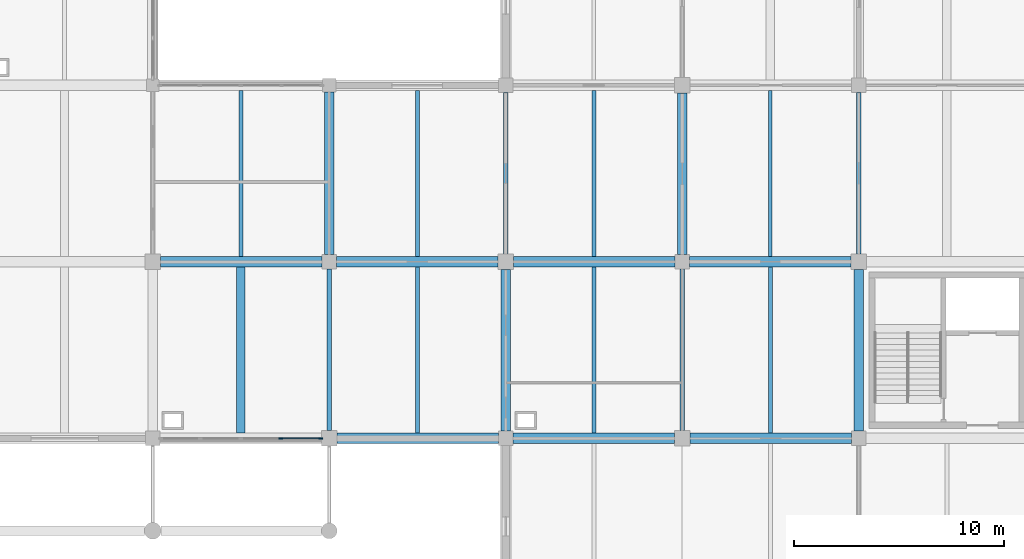
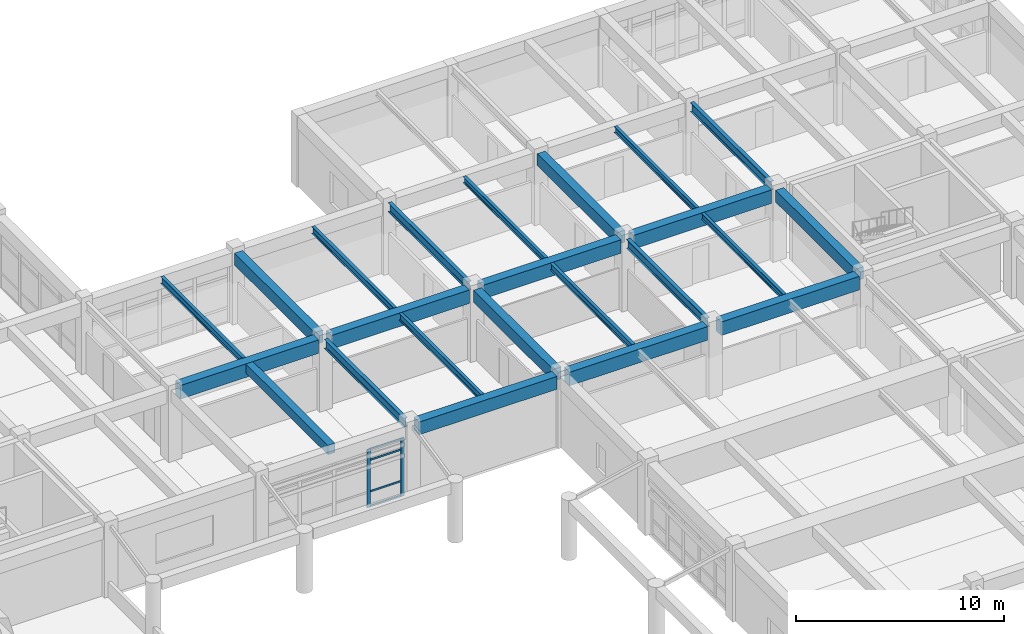
# One storey, part 48 of 99: 23 beams, 6 members, 1 element without a shape of its own.
"""IFC4 building model written with IfcOpenShell, lengths in metres."""

import ifcopenshell
import ifcopenshell.guid

model = None  # the IFC model being written
_history = None  # IfcOwnerHistory: only IFC2X3 demands one
_inside = {}  # id of a spatial element -> (the spatial element, [elements in it])
_under = {}  # id of a project, library or spatial element -> (it, [spatial elements below it])
_declared = {}  # id of a project -> (the project, [libraries it declares])
_typed = {}  # id of a type object -> (the type object, [elements of that type])
_made_of = {}  # id of a material, layer set ... -> (it, [elements and type objects made of it])


def new_model(schema):
    """Start an empty IFC model of exactly this schema.

    Asked for "IFC4X3", IfcOpenShell would pick the latest addendum, in which some entities
    have other attributes; the version numbers below select the first issue.
    IFC2X3 requires an IfcOwnerHistory on every rooted entity: one is made here for all.
    """
    global model, _history
    if schema == "IFC4X3":
        model = ifcopenshell.file(schema_version=(4, 3, 0, 0))
    else:
        model = ifcopenshell.file(schema=schema)
    _inside.clear()
    _under.clear()
    _declared.clear()
    _typed.clear()
    _made_of.clear()
    _history = None
    if model.schema == "IFC2X3":
        org = make("IfcOrganization", Name="unknown")
        user = make(
            "IfcPersonAndOrganization",
            ThePerson=make("IfcPerson", FamilyName="unknown"),
            TheOrganization=org,
        )
        app = make(
            "IfcApplication",
            ApplicationDeveloper=org,
            Version="unknown",
            ApplicationFullName="unknown",
            ApplicationIdentifier="unknown",
        )
        _history = make(
            "IfcOwnerHistory",
            OwningUser=user,
            OwningApplication=app,
            ChangeAction="ADDED",
            CreationDate=0,
        )
    return model


def make(cls, **values):
    """One entity of the class cls with the attributes given. An attribute that is None is left unset."""
    return model.create_entity(
        cls, **{name: value for name, value in values.items() if value is not None}
    )


def rooted(cls, **values):
    """An entity with a GlobalId (a new one), such as an element, a storey or a relation."""
    return make(cls, GlobalId=ifcopenshell.guid.new(), OwnerHistory=_history, **values)


def si_unit(unit_type, name, prefix=None):
    """IfcSIUnit, for example si_unit("LENGTHUNIT", "METRE", prefix="MILLI")."""
    return make("IfcSIUnit", UnitType=unit_type, Prefix=prefix, Name=name)


def assignment(units):
    """IfcUnitAssignment: the units of a project."""
    return None if units is None else make("IfcUnitAssignment", Units=units)


def point(xyz):
    """IfcCartesianPoint."""
    return None if xyz is None else make("IfcCartesianPoint", Coordinates=xyz)


def direction(xyz):
    """IfcDirection."""
    return None if xyz is None else make("IfcDirection", DirectionRatios=xyz)


def frame(location, z_axis=None, x_axis=None):
    """IfcAxis2Placement3D, a coordinate frame: its origin and axes. An axis left out is left unset."""
    return make(
        "IfcAxis2Placement3D",
        Location=point(location),
        Axis=direction(z_axis),
        RefDirection=direction(x_axis),
    )


def frame_2d(location, x_axis=None):
    """IfcAxis2Placement2D, a coordinate frame in the plane: its origin and x axis."""
    return make(
        "IfcAxis2Placement2D", Location=point(location), RefDirection=direction(x_axis)
    )


def origin():
    """The frame at (0, 0, 0) with its axes left unset."""
    return frame((0.0, 0.0, 0.0))


def origin_2d():
    """The frame at (0, 0) in the plane with its x axis left unset."""
    return frame_2d((0.0, 0.0))


def place(relative_to, where):
    """IfcLocalPlacement: puts the frame where relative to a parent placement (None: the world)."""
    return make(
        "IfcLocalPlacement", PlacementRelTo=relative_to, RelativePlacement=where
    )


def context(
    kind, dimensions, precision=None, world=None, true_north=None, identifier=None
):
    """IfcGeometricRepresentationContext, for example the 3D "Model" context."""
    return make(
        "IfcGeometricRepresentationContext",
        ContextIdentifier=identifier,
        ContextType=kind,
        CoordinateSpaceDimension=dimensions,
        Precision=precision,
        WorldCoordinateSystem=world,
        TrueNorth=true_north,
    )


def subcontext(parent, identifier, kind, view, scale=None):
    """IfcGeometricRepresentationSubContext, for example "Body" below "Model"."""
    return make(
        "IfcGeometricRepresentationSubContext",
        ContextIdentifier=identifier,
        ContextType=kind,
        ParentContext=parent,
        TargetScale=scale,
        TargetView=view,
    )


def project(units=None, contexts=None):
    """IfcProject with its units and contexts."""
    return rooted(
        "IfcProject",
        Name="project",
        RepresentationContexts=contexts,
        UnitsInContext=assignment(units),
    )


def spatial(cls, under=None, at=None, **own):
    """A site, building, storey or space (cls), placed at a placement, below another one or the project."""
    s = rooted(cls, ObjectPlacement=at, **own)
    if under is not None:
        _under.setdefault(under.id(), (under, []))[1].append(s)
    return s


def profile(cls, at=None, kind="AREA", **sizes):
    """A parametric profile (cls). Its sizes go by their IFC names, for example OverallWidth=200.0."""
    return make(cls, ProfileType=kind, Position=at, **sizes)


def rectangle(**sizes):
    """IfcRectangleProfileDef."""
    return profile("IfcRectangleProfileDef", **sizes)


def i_section(**sizes):
    """IfcIShapeProfileDef."""
    return profile("IfcIShapeProfileDef", **sizes)


def extrude(swept, where, along, depth):
    """IfcExtrudedAreaSolid: the profile swept, set in the frame where, extruded along a direction by depth."""
    return make(
        "IfcExtrudedAreaSolid",
        SweptArea=swept,
        Position=where,
        ExtrudedDirection=direction(along),
        Depth=depth,
    )


def shape(context_of_items, identifier, shape_type, items):
    """IfcShapeRepresentation: the items that make up one representation, for example the "Body"."""
    return make(
        "IfcShapeRepresentation",
        ContextOfItems=context_of_items,
        RepresentationIdentifier=identifier,
        RepresentationType=shape_type,
        Items=items,
    )


def material(Name=None, Category=None):
    """IfcMaterial."""
    return make("IfcMaterial", Name=Name, Category=Category)


def layer(
    of_material, thickness, ventilated=None, Name=None, Category=None, Priority=None
):
    """IfcMaterialLayer: one layer of a wall or slab, of a material (None: an air gap)."""
    return make(
        "IfcMaterialLayer",
        Material=of_material,
        LayerThickness=thickness,
        IsVentilated=ventilated,
        Name=Name,
        Category=Category,
        Priority=Priority,
    )


def layer_set(layers, Name=None):
    """IfcMaterialLayerSet."""
    return make("IfcMaterialLayerSet", MaterialLayers=layers, LayerSetName=Name)


def material_profile(
    of_material, cross_section, Name=None, Category=None, Priority=None
):
    """IfcMaterialProfile: a cross section and its material."""
    return make(
        "IfcMaterialProfile",
        Name=Name,
        Material=of_material,
        Profile=cross_section,
        Priority=Priority,
        Category=Category,
    )


def profile_set(profiles, Name=None, composite=None):
    """IfcMaterialProfileSet."""
    return make(
        "IfcMaterialProfileSet",
        Name=Name,
        MaterialProfiles=profiles,
        CompositeProfile=composite,
    )


def made_of(thing, what):
    """Note that an element or type object is made of a material, layer set ...; save() writes the relation."""
    if what is not None:
        _made_of.setdefault(what.id(), (what, []))[1].append(thing)
    return thing


def type_object(cls, material=None, **own):
    """A type object (cls), such as IfcWallType, which elements share."""
    return made_of(rooted(cls, **own), material)


def element(
    cls,
    number,
    at=None,
    inside=None,
    cuts=None,
    type_object=None,
    material=None,
    context=None,
    identifier="Body",
    shape_type=None,
    held_by="IfcProductDefinitionShape",
    body=None,
    shapes=None,
    **own,
):
    """One element of the class cls, such as IfcWall. Its Tag is "e" and its number.

    at: its placement. inside: the storey or other place that contains it. cuts: it is an
    opening in that element (IfcRelVoidsElement). A single representation is given by context,
    identifier, shape_type and body (its items); several are given by shapes. held_by: the class
    of the entity that holds the representations. save() writes the other relations.
    """
    e = rooted(cls, Tag="e%d" % number, ObjectPlacement=at, **own)
    if body is not None:
        shapes = [shape(context, identifier, shape_type, body)]
    if shapes is not None:
        e.Representation = make(held_by, Representations=shapes)
    if inside is not None:
        _inside.setdefault(inside.id(), (inside, []))[1].append(e)
    if cuts is not None:
        rooted(
            "IfcRelVoidsElement", RelatingBuildingElement=cuts, RelatedOpeningElement=e
        )
    if type_object is not None:
        _typed.setdefault(type_object.id(), (type_object, []))[1].append(e)
    return made_of(e, material)


def aggregate(whole, parts):
    """IfcRelAggregates: a whole, such as a stair, and the parts it consists of."""
    return rooted("IfcRelAggregates", RelatingObject=whole, RelatedObjects=parts)


def save(model, path):
    """Write the relations noted so far, then the file.

    IfcRelAggregates (storeys below a building ...), IfcRelContainedInSpatialStructure (elements
    in a storey), IfcRelDefinesByType, IfcRelAssociatesMaterial and IfcRelDeclares: one each for
    every whole, place, type object, material and project.
    """
    for whole, parts in _under.values():
        aggregate(whole, parts)
    for where, things in _inside.values():
        rooted(
            "IfcRelContainedInSpatialStructure",
            RelatedElements=things,
            RelatingStructure=where,
        )
    for kind, things in _typed.values():
        rooted("IfcRelDefinesByType", RelatedObjects=things, RelatingType=kind)
    for what, things in _made_of.values():
        rooted("IfcRelAssociatesMaterial", RelatedObjects=things, RelatingMaterial=what)
    for by, libraries in _declared.values():
        rooted("IfcRelDeclares", RelatingContext=by, RelatedDefinitions=libraries)
    model.write(path)


model = new_model("IFC4")

# Units and contexts
model_context = context("Model", 3, precision=1e-05, world=origin(), true_north=direction((0.0, 1.0)))
body_context = subcontext(model_context, "Body", "Model", "MODEL_VIEW")
ifc_project = project(units=[si_unit("LENGTHUNIT", "METRE"), si_unit("AREAUNIT", "SQUARE_METRE"), si_unit("VOLUMEUNIT", "CUBIC_METRE"), si_unit("PLANEANGLEUNIT", "RADIAN"), si_unit("MASSUNIT", "GRAM", prefix="KILO")], contexts=[model_context])

# Site, building, storey
site_placement = place(None, origin())
site = spatial("IfcSite", under=ifc_project, at=site_placement, CompositionType="ELEMENT")
building_placement = place(site_placement, origin())
building = spatial("IfcBuilding", under=site, at=building_placement, Name="Porcellanite Civic Hall", CompositionType="ELEMENT")
storey_placement = place(building_placement, frame((0.0, 0.0, 5.760009765625)))
storey = spatial("IfcBuildingStorey", under=building, at=storey_placement, Name="L01", CompositionType="ELEMENT", Elevation=5.760009765625)

# Beams
ifc_material_1 = material(Name="Concrete N50 (50 MPa)", Category="concrete")
ifc_material_profile_1 = material_profile(ifc_material_1, rectangle(XDim=0.39990234375, YDim=0.550048828125, at=origin_2d()), Name="RC-400x550")
ifc_profile_set_1 = profile_set([ifc_material_profile_1], Name="Concrete N50 (50 MPa)")
beam_type_1 = type_object("IfcBeamType", Name="BM-RC550", PredefinedType="JOIST", material=ifc_profile_set_1)
beam_1_placement = place(storey_placement, frame((130.199951171875, 50.6494140625, 3.925048828125), z_axis=(0.0, 1.0, 0.0), x_axis=(-1.0, 0.0, 0.0)))
element("IfcBeam", 1, at=beam_1_placement, inside=storey, type_object=beam_type_1, Name="Secondary joist L01 16-7", PredefinedType="JOIST", context=body_context, shape_type="SweptSolid", body=[
    extrude(rectangle(XDim=0.39990234375, YDim=0.550048828125, at=origin_2d()), origin(), (0.0, 0.0, 1.0), 7.901123046875),
])
ifc_material_2 = material(Name="Concrete N50 (50 MPa)", Category="concrete")
ifc_material_profile_2 = material_profile(ifc_material_2, rectangle(XDim=0.449951171875, YDim=0.699951171875, at=origin_2d()), Name="RC-450x700")
ifc_profile_set_2 = profile_set([ifc_material_profile_2], Name="Concrete N50 (50 MPa)")
beam_type_2 = type_object("IfcBeamType", Name="BM-RC700", PredefinedType="BEAM", material=ifc_profile_set_2)
beam_2_placement = place(storey_placement, frame((134.39990234375, 59.1494140625, 3.85009765625), z_axis=(0.0, 1.0, 0.0), x_axis=(-1.0, 0.0, 0.0)))
element("IfcBeam", 2, at=beam_2_placement, inside=storey, type_object=beam_type_2, Name="Beam Y L01 17-8", PredefinedType="BEAM", context=body_context, shape_type="SweptSolid", body=[
    extrude(rectangle(XDim=0.449951171875, YDim=0.699951171875, at=origin_2d()), origin(), (0.0, 0.0, 1.0), 7.72607421875),
])
for number, where, z_axis, x_axis, name in (
    (3, (142.800048828125, 50.74951171875, 3.85009765625), (0.0, 1.0, 0.0), (-1.0, 0.0, 0.0), "Beam Y L01 18-7"),
    (4, (151.199951171875, 59.1494140625, 3.85009765625), (0.0, 1.0, 0.0), (-1.0, 0.0, 0.0), "Beam Y L01 19-8"),
    (5, (159.60009765625, 50.74951171875, 3.85009765625), (0.0, 1.0, 0.0), (-1.0, 0.0, 0.0), "Beam Y L01 20-7"),
):
    element("IfcBeam", number, at=place(storey_placement, frame(where, z_axis=z_axis, x_axis=x_axis)), inside=storey, type_object=beam_type_2, Name=name, PredefinedType="BEAM", context=body_context, shape_type="SweptSolid", body=[
        extrude(rectangle(XDim=0.449951171875, YDim=0.699951171875, at=origin_2d()), origin(), (0.0, 0.0, 1.0), 7.676025390625),
    ])
ifc_material_3 = material(Name="Concrete N50 (50 MPa)", Category="concrete")
ifc_material_profile_3 = material_profile(ifc_material_3, rectangle(XDim=0.5, YDim=0.75, at=origin_2d()), Name="RC-500x750")
ifc_profile_set_3 = profile_set([ifc_material_profile_3], Name="Concrete N50 (50 MPa)")
beam_type_3 = type_object("IfcBeamType", Name="BM-RC750", PredefinedType="SPANDREL", material=ifc_profile_set_3)
beam_3_placement = place(storey_placement, frame((134.7744140625, 50.39990234375, 3.824951171875), z_axis=(1.0, 0.0, 0.0), x_axis=(0.0, 1.0, 0.0)))
element("IfcBeam", 6, at=beam_3_placement, inside=storey, type_object=beam_type_3, Name="Beam X L01 17-7", PredefinedType="SPANDREL", context=body_context, shape_type="SweptSolid", body=[
    extrude(rectangle(XDim=0.5, YDim=0.75, at=origin_2d()), origin(), (0.0, 0.0, 1.0), 7.676025390625),
])
ifc_material_4 = material(Name="Concrete N50 (50 MPa)", Category="concrete")
ifc_material_profile_4 = material_profile(ifc_material_4, rectangle(XDim=0.5, YDim=0.800048828125, at=origin_2d()), Name="RC-500x800")
ifc_profile_set_4 = profile_set([ifc_material_profile_4], Name="Concrete N50 (50 MPa)")
beam_type_4 = type_object("IfcBeamType", Name="BM-RC800", PredefinedType="BEAM", material=ifc_profile_set_4)
for number, where, z_axis, x_axis, name in (
    (7, (126.37451171875, 58.800048828125, 3.800048828125), (1.0, 0.0, 0.0), (0.0, 1.0, 0.0), "Beam X L01 16-8"),
    (8, (134.74951171875, 58.800048828125, 3.800048828125), (1.0, 0.0, 0.0), (0.0, 1.0, 0.0), "Beam X L01 17-8"),
    (9, (143.1494140625, 50.39990234375, 3.800048828125), (1.0, 0.0, 0.0), (0.0, 1.0, 0.0), "Beam X L01 18-7"),
    (10, (143.174560546875, 58.800048828125, 3.800048828125), (1.0, 0.0, 0.0), (0.0, 1.0, 0.0), "Beam X L01 18-8"),
    (11, (151.574462890625, 50.39990234375, 3.800048828125), (1.0, 0.0, 0.0), (0.0, 1.0, 0.0), "Beam X L01 19-7"),
    (12, (151.549560546875, 58.800048828125, 3.800048828125), (1.0, 0.0, 0.0), (0.0, 1.0, 0.0), "Beam X L01 19-8"),
):
    element("IfcBeam", number, at=place(storey_placement, frame(where, z_axis=z_axis, x_axis=x_axis)), inside=storey, type_object=beam_type_4, Name=name, PredefinedType="BEAM", context=body_context, shape_type="SweptSolid", body=[
        extrude(rectangle(XDim=0.5, YDim=0.800048828125, at=origin_2d()), origin(), (0.0, 0.0, 1.0), 7.676025390625),
    ])

# Curtain wall, members
ifc_material_5 = material(Name="Anodised aluminium and solar laminated glass", Category="aluminium")
ifc_layer = layer(ifc_material_5, 0.179931640625)
ifc_layer_set = layer_set([ifc_layer], Name="Anodised aluminium and solar laminated glass")
curtain_wall_type = type_object("IfcCurtainWallType", Name="CW-SYS04", PredefinedType="NOTDEFINED", material=ifc_layer_set)
curtain_wall_placement = place(storey_placement, origin())
curtain_wall = element("IfcCurtainWall", 13, at=curtain_wall_placement, inside=storey, type_object=curtain_wall_type, Name="Curtain wall CW-115", PredefinedType="NOTDEFINED")
ifc_material_6 = material(Name="Anodised aluminium 6063-T6", Category="aluminium")
ifc_material_profile_5 = material_profile(ifc_material_6, rectangle(XDim=0.074951171875, YDim=0.18994140625, at=origin_2d()), Name="AL-75x190")
ifc_profile_set_5 = profile_set([ifc_material_profile_5], Name="Anodised aluminium 6063-T6")
member_type_1 = type_object("IfcMemberType", Name="CWM-04", PredefinedType="MULLION", material=ifc_profile_set_5)
member_1_placement = place(storey_placement, frame((133.986572265625, 50.39990234375, 0.0), z_axis=(0.0, 0.0, 1.0), x_axis=(0.0, -1.0, 0.0)))
member_1 = element("IfcMember", 14, at=member_1_placement, type_object=member_type_1, Name="CW-115 mullion 1", PredefinedType="MULLION", context=body_context, shape_type="SweptSolid", body=[
    extrude(rectangle(XDim=0.074951171875, YDim=0.18994140625, at=origin_2d()), origin(), (0.0, 0.0, 1.0), 3.39990234375),
])
member_2_placement = place(storey_placement, frame((132.105712890625, 50.39990234375, 0.0), z_axis=(0.0, 0.0, 1.0), x_axis=(0.0, -1.0, 0.0)))
member_2 = element("IfcMember", 15, at=member_2_placement, type_object=member_type_1, Name="CW-115 mullion 2", PredefinedType="MULLION", context=body_context, shape_type="SweptSolid", body=[
    extrude(rectangle(XDim=0.074951171875, YDim=0.18994140625, at=origin_2d()), origin(), (0.0, 0.0, 1.0), 3.39990234375),
])
ifc_material_7 = material(Name="Anodised aluminium 6063-T6", Category="aluminium")
ifc_material_profile_6 = material_profile(ifc_material_7, rectangle(XDim=0.054931640625, YDim=0.10009765625, at=origin_2d()), Name="AL-55x100")
ifc_profile_set_6 = profile_set([ifc_material_profile_6], Name="Anodised aluminium 6063-T6")
member_type_2 = type_object("IfcMemberType", Name="CWT-05", PredefinedType="USERDEFINED", material=ifc_profile_set_6)
member_3_placement = place(storey_placement, frame((133.948974609375, 50.39990234375, 0.027587890625), z_axis=(-1.0, 0.0, 0.0), x_axis=(0.0, -1.0, 0.0)))
member_3 = element("IfcMember", 16, at=member_3_placement, type_object=member_type_2, Name="CW-115 transom 1.1", ObjectType="TRANSOM", PredefinedType="USERDEFINED", context=body_context, shape_type="SweptSolid", body=[
    extrude(rectangle(XDim=0.054931640625, YDim=0.10009765625, at=origin_2d()), origin(), (0.0, 0.0, 1.0), 1.8056640625),
])
member_4_placement = place(storey_placement, frame((133.948974609375, 50.39990234375, 0.89990234375), z_axis=(-1.0, 0.0, 0.0), x_axis=(0.0, -1.0, 0.0)))
member_4 = element("IfcMember", 17, at=member_4_placement, type_object=member_type_2, Name="CW-115 transom 1.2", ObjectType="TRANSOM", PredefinedType="USERDEFINED", context=body_context, shape_type="SweptSolid", body=[
    extrude(rectangle(XDim=0.054931640625, YDim=0.10009765625, at=origin_2d()), origin(), (0.0, 0.0, 1.0), 1.8056640625),
])
member_5_placement = place(storey_placement, frame((133.948974609375, 50.39990234375, 2.75), z_axis=(-1.0, 0.0, 0.0), x_axis=(0.0, -1.0, 0.0)))
member_5 = element("IfcMember", 18, at=member_5_placement, type_object=member_type_2, Name="CW-115 transom 1.3", ObjectType="TRANSOM", PredefinedType="USERDEFINED", context=body_context, shape_type="SweptSolid", body=[
    extrude(rectangle(XDim=0.054931640625, YDim=0.10009765625, at=origin_2d()), origin(), (0.0, 0.0, 1.0), 1.8056640625),
])
member_6_placement = place(storey_placement, frame((133.948974609375, 50.39990234375, 3.37255859375), z_axis=(-1.0, 0.0, 0.0), x_axis=(0.0, -1.0, 0.0)))
member_6 = element("IfcMember", 19, at=member_6_placement, type_object=member_type_2, Name="CW-115 transom 1.4", ObjectType="TRANSOM", PredefinedType="USERDEFINED", context=body_context, shape_type="SweptSolid", body=[
    extrude(rectangle(XDim=0.054931640625, YDim=0.10009765625, at=origin_2d()), origin(), (0.0, 0.0, 1.0), 1.8056640625),
])
aggregate(curtain_wall, [member_1, member_2, member_3, member_4, member_5, member_6])

# Beams
ifc_material_8 = material(Name="Steel Grade 350", Category="steel")
ifc_material_profile_7 = material_profile(ifc_material_8, i_section(OverallWidth=0.1708984375, OverallDepth=0.35595703125, WebThickness=0.00732421875, FlangeThickness=0.011474609375, FilletRadius=0.011474609375, at=origin_2d()), Name="360UB50.7")
ifc_profile_set_7 = profile_set([ifc_material_profile_7], Name="Steel Grade 350")
beam_type_5 = type_object("IfcBeamType", Name="JST-360UB51", PredefinedType="JOIST", material=ifc_profile_set_7)
beam_4_placement = place(storey_placement, frame((155.39990234375, 59.049560546875, 4.02197265625), z_axis=(0.0, 1.0, 0.0), x_axis=(-1.0, 0.0, 0.0)))
element("IfcBeam", 20, at=beam_4_placement, inside=storey, type_object=beam_type_5, Name="Secondary joist L01 19-8", PredefinedType="JOIST", context=body_context, shape_type="SweptSolid", body=[
    extrude(i_section(OverallWidth=0.1708984375, OverallDepth=0.35595703125, WebThickness=0.00732421875, FlangeThickness=0.011474609375, FilletRadius=0.011474609375, at=origin_2d()), origin(), (0.0, 0.0, 1.0), 7.90087890625),
])
ifc_material_9 = material(Name="Steel Grade 350", Category="steel")
ifc_material_profile_8 = material_profile(ifc_material_9, i_section(OverallWidth=0.172119140625, OverallDepth=0.35888671875, WebThickness=0.008056640625, FlangeThickness=0.012939453125, FilletRadius=0.011474609375, at=origin_2d()), Name="360UB56.7")
ifc_profile_set_8 = profile_set([ifc_material_profile_8], Name="Steel Grade 350")
beam_type_6 = type_object("IfcBeamType", Name="JST-360UB57", PredefinedType="JOIST", material=ifc_profile_set_8)
beam_5_placement = place(storey_placement, frame((147.0, 59.049560546875, 4.0205078125), z_axis=(0.0, 1.0, 0.0), x_axis=(-1.0, 0.0, 0.0)))
element("IfcBeam", 21, at=beam_5_placement, inside=storey, type_object=beam_type_6, Name="Secondary joist L01 18-8", PredefinedType="JOIST", context=body_context, shape_type="SweptSolid", body=[
    extrude(i_section(OverallWidth=0.172119140625, OverallDepth=0.35888671875, WebThickness=0.008056640625, FlangeThickness=0.012939453125, FilletRadius=0.011474609375, at=origin_2d()), origin(), (0.0, 0.0, 1.0), 7.90087890625),
])
beam_6_placement = place(storey_placement, frame((155.39990234375, 50.6494140625, 4.0205078125), z_axis=(0.0, 1.0, 0.0), x_axis=(-1.0, 0.0, 0.0)))
element("IfcBeam", 22, at=beam_6_placement, inside=storey, type_object=beam_type_6, Name="Secondary joist L01 19-7", PredefinedType="JOIST", context=body_context, shape_type="SweptSolid", body=[
    extrude(i_section(OverallWidth=0.172119140625, OverallDepth=0.35888671875, WebThickness=0.008056640625, FlangeThickness=0.012939453125, FilletRadius=0.011474609375, at=origin_2d()), origin(), (0.0, 0.0, 1.0), 7.901123046875),
])
ifc_material_10 = material(Name="Steel Grade 350", Category="steel")
ifc_material_profile_9 = material_profile(ifc_material_10, i_section(OverallWidth=0.177978515625, OverallDepth=0.403076171875, WebThickness=0.007568359375, FlangeThickness=0.010986328125, FilletRadius=0.011474609375, at=origin_2d()), Name="410UB53.7")
ifc_profile_set_9 = profile_set([ifc_material_profile_9], Name="Steel Grade 350")
beam_type_7 = type_object("IfcBeamType", Name="JST-410UB54", PredefinedType="JOIST", material=ifc_profile_set_9)
beam_7_placement = place(storey_placement, frame((138.60009765625, 59.049560546875, 3.99853515625), z_axis=(0.0, 1.0, 0.0), x_axis=(-1.0, 0.0, 0.0)))
element("IfcBeam", 23, at=beam_7_placement, inside=storey, type_object=beam_type_7, Name="Secondary joist L01 17-8", PredefinedType="JOIST", context=body_context, shape_type="SweptSolid", body=[
    extrude(i_section(OverallWidth=0.177978515625, OverallDepth=0.403076171875, WebThickness=0.007568359375, FlangeThickness=0.010986328125, FilletRadius=0.011474609375, at=origin_2d()), origin(), (0.0, 0.0, 1.0), 7.90087890625),
])
beam_8_placement = place(storey_placement, frame((147.0, 50.6494140625, 3.99853515625), z_axis=(0.0, 1.0, 0.0), x_axis=(-1.0, 0.0, 0.0)))
element("IfcBeam", 24, at=beam_8_placement, inside=storey, type_object=beam_type_7, Name="Secondary joist L01 18-7", PredefinedType="JOIST", context=body_context, shape_type="SweptSolid", body=[
    extrude(i_section(OverallWidth=0.177978515625, OverallDepth=0.403076171875, WebThickness=0.007568359375, FlangeThickness=0.010986328125, FilletRadius=0.011474609375, at=origin_2d()), origin(), (0.0, 0.0, 1.0), 7.901123046875),
])
ifc_material_11 = material(Name="Steel Grade 350", Category="steel")
ifc_material_profile_10 = material_profile(ifc_material_11, i_section(OverallWidth=0.177978515625, OverallDepth=0.406005859375, WebThickness=0.0078125, FlangeThickness=0.0126953125, FilletRadius=0.011474609375, at=origin_2d()), Name="410UB59.7")
ifc_profile_set_10 = profile_set([ifc_material_profile_10], Name="Steel Grade 350")
beam_type_8 = type_object("IfcBeamType", Name="JST-410UB60", PredefinedType="JOIST", material=ifc_profile_set_10)
beam_9_placement = place(storey_placement, frame((130.199951171875, 59.049560546875, 3.9970703125), z_axis=(0.0, 1.0, 0.0), x_axis=(-1.0, 0.0, 0.0)))
element("IfcBeam", 25, at=beam_9_placement, inside=storey, type_object=beam_type_8, Name="Secondary joist L01 16-8", PredefinedType="JOIST", context=body_context, shape_type="SweptSolid", body=[
    extrude(i_section(OverallWidth=0.177978515625, OverallDepth=0.406005859375, WebThickness=0.0078125, FlangeThickness=0.0126953125, FilletRadius=0.011474609375, at=origin_2d()), origin(), (0.0, 0.0, 1.0), 7.90087890625),
])
beam_10_placement = place(storey_placement, frame((138.60009765625, 50.6494140625, 3.9970703125), z_axis=(0.0, 1.0, 0.0), x_axis=(-1.0, 0.0, 0.0)))
element("IfcBeam", 26, at=beam_10_placement, inside=storey, type_object=beam_type_8, Name="Secondary joist L01 17-7", PredefinedType="JOIST", context=body_context, shape_type="SweptSolid", body=[
    extrude(i_section(OverallWidth=0.177978515625, OverallDepth=0.406005859375, WebThickness=0.0078125, FlangeThickness=0.0126953125, FilletRadius=0.011474609375, at=origin_2d()), origin(), (0.0, 0.0, 1.0), 7.901123046875),
])
ifc_material_12 = material(Name="Steel Grade 350", Category="steel")
ifc_material_profile_11 = material_profile(ifc_material_12, i_section(OverallWidth=0.208984375, OverallDepth=0.528076171875, WebThickness=0.009521484375, FlangeThickness=0.01318359375, FilletRadius=0.013916015625, at=origin_2d()), Name="530UB82.0")
ifc_profile_set_11 = profile_set([ifc_material_profile_11], Name="Steel Grade 350")
beam_type_9 = type_object("IfcBeamType", Name="RAF-530UB82", PredefinedType="BEAM", material=ifc_profile_set_11)
for number, where, z_axis, x_axis, name in (
    (27, (134.39990234375, 50.7744140625, 3.93603515625), (0.0, 1.0, 0.0), (-1.0, 0.0, 0.0), "Beam Y L01 17-7"),
    (28, (142.800048828125, 59.174560546875, 3.93603515625), (0.0, 1.0, 0.0), (-1.0, 0.0, 0.0), "Beam Y L01 18-8"),
    (29, (151.199951171875, 50.7744140625, 3.93603515625), (0.0, 1.0, 0.0), (-1.0, 0.0, 0.0), "Beam Y L01 19-7"),
    (30, (159.60009765625, 59.174560546875, 3.93603515625), (0.0, 1.0, 0.0), (-1.0, 0.0, 0.0), "Beam Y L01 20-8"),
):
    element("IfcBeam", number, at=place(storey_placement, frame(where, z_axis=z_axis, x_axis=x_axis)), inside=storey, type_object=beam_type_9, Name=name, PredefinedType="BEAM", context=body_context, shape_type="SweptSolid", body=[
        extrude(i_section(OverallWidth=0.208984375, OverallDepth=0.528076171875, WebThickness=0.009521484375, FlangeThickness=0.01318359375, FilletRadius=0.013916015625, at=origin_2d()), origin(), (0.0, 0.0, 1.0), 7.676025390625),
    ])

save(model, "model.ifc")
